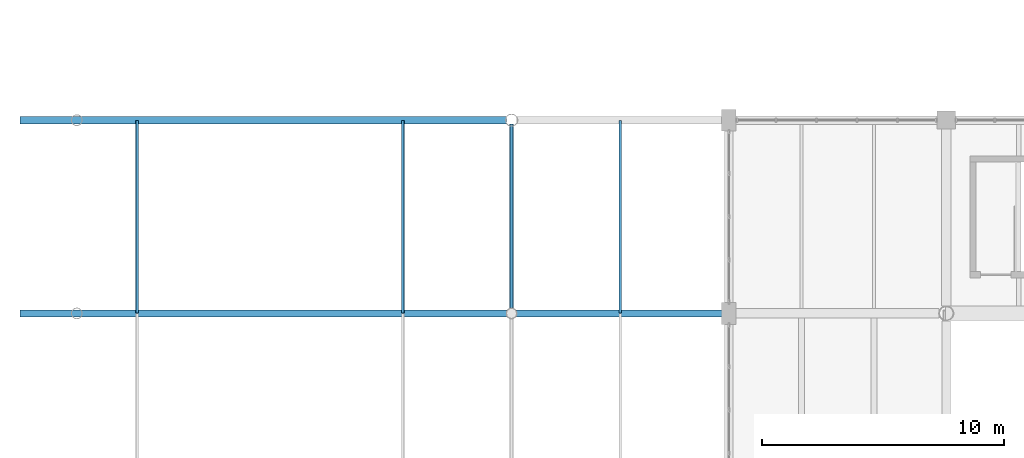
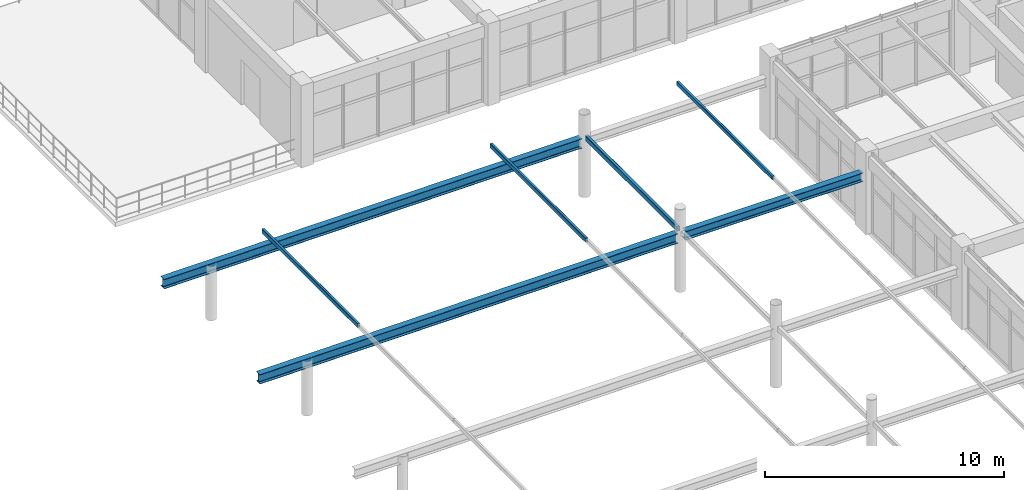
# One storey, part 55 of 148: 6 members, 1 beam.
"""IFC4 building model written with IfcOpenShell, lengths in metres."""

from ifc_helpers import new_model, si_unit, derived_unit, direction, frame, origin, origin_2d, place, context, subcontext, project, spatial, hollow_rectangle, i_section, extrude, material, material_profile, profile_set, type_object, element, save


model = new_model("IFC4")

# Units and contexts
model_context = context("Model", 3, precision=1e-05, world=origin(), true_north=direction((0.0, 1.0)))
body_context = subcontext(model_context, "Body", "Model", "MODEL_VIEW")
ifc_project = project(units=[si_unit("LENGTHUNIT", "METRE"), si_unit("AREAUNIT", "SQUARE_METRE"), si_unit("VOLUMEUNIT", "CUBIC_METRE"), si_unit("PLANEANGLEUNIT", "RADIAN"), si_unit("MASSUNIT", "GRAM", prefix="KILO"), derived_unit("THERMALTRANSMITTANCEUNIT", [(si_unit("MASSUNIT", "GRAM", prefix="KILO"), 1), (si_unit("TIMEUNIT", "SECOND"), -3), (si_unit("THERMODYNAMICTEMPERATUREUNIT", "KELVIN"), -1)])], contexts=[model_context])

# Site, building, storey
site_placement = place(None, origin())
site = spatial("IfcSite", under=ifc_project, at=site_placement, CompositionType="ELEMENT")
building_placement = place(site_placement, origin())
building = spatial("IfcBuilding", under=site, at=building_placement, Name="Zhenchuan Archway Interchange", CompositionType="ELEMENT")
storey_placement = place(building_placement, frame((0.0, 0.0, 10.199951171875)))
storey = spatial("IfcBuildingStorey", under=building, at=storey_placement, Name="L02", CompositionType="ELEMENT", Elevation=10.199951171875)

# Beam
ifc_material_1 = material(Name="Steel Q355", Category="steel")
ifc_material_profile_1 = material_profile(ifc_material_1, i_section(OverallWidth=0.300048828125, OverallDepth=0.43994140625, WebThickness=0.010986328125, FlangeThickness=0.01806640625, FilletRadius=0.02197265625, at=origin_2d()), Name="HM 440x300")
ifc_profile_set_1 = profile_set([ifc_material_profile_1], Name="Steel Q355")
beam_type = type_object("IfcBeamType", Name="BM_STL_HM440", PredefinedType="BEAM", material=ifc_profile_set_1)
beam_placement = place(storey_placement, frame((18.199951171875, 80.0, 2.75), z_axis=(1.0, 0.0, 0.0), x_axis=(0.0, 1.0, 0.0)))
element("IfcBeam", 1, at=beam_placement, inside=storey, type_object=beam_type, Name="ROOF TRUSS bus canopy T8 east bottom chord", PredefinedType="BEAM", context=body_context, shape_type="SweptSolid", body=[
    extrude(i_section(OverallWidth=0.300048828125, OverallDepth=0.43994140625, WebThickness=0.010986328125, FlangeThickness=0.01806640625, FilletRadius=0.02197265625, at=origin_2d()), origin(), (0.0, 0.0, 1.0), 8.550048828125),
])

# Members
ifc_material_2 = material(Name="Steel Q390", Category="steel")
ifc_material_profile_2 = material_profile(ifc_material_2, i_section(OverallWidth=0.300048828125, OverallDepth=0.488037109375, WebThickness=0.010986328125, FlangeThickness=0.01806640625, FilletRadius=0.02197265625, at=origin_2d()), Name="HM 488x300")
ifc_profile_set_2 = profile_set([ifc_material_profile_2], Name="Steel Q390")
member_type_1 = type_object("IfcMemberType", Name="MB_CHD_HM488", PredefinedType="CHORD", material=ifc_profile_set_2)
for number, where, z_axis, x_axis, name in (
    (2, (-2.35009765625, 80.0, 2.6201171875), (0.999979226799, 0.0, 0.006445616389), (0.0, 1.0, 0.0), "ROOF TRUSS bus canopy T8 west bottom chord"),
    (3, (-2.35009765625, 88.0, 2.6201171875), (0.999979226799, 0.0, 0.006445616389), (0.0, 1.0, 0.0), "ROOF TRUSS bus canopy T9 west bottom chord"),
):
    element("IfcMember", number, at=place(storey_placement, frame(where, z_axis=z_axis, x_axis=x_axis)), inside=storey, type_object=member_type_1, Name=name, PredefinedType="CHORD", context=body_context, shape_type="SweptSolid", body=[
        extrude(i_section(OverallWidth=0.300048828125, OverallDepth=0.488037109375, WebThickness=0.010986328125, FlangeThickness=0.01806640625, FilletRadius=0.02197265625, at=origin_2d()), origin(), (0.0, 0.0, 1.0), 20.150634765625),
    ])
ifc_material_profile_3 = material_profile(ifc_material_1, hollow_rectangle(XDim=0.1201171875, YDim=0.199951171875, WallThickness=0.008056640625, InnerFilletRadius=0.008056640625, OuterFilletRadius=0.01611328125, at=origin_2d()), Name="RHS 200x120x8")
ifc_profile_set_3 = profile_set([ifc_material_profile_3], Name="Steel Q355")
member_type_2 = type_object("IfcMemberType", Name="MB_RHS200", PredefinedType="PURLIN", material=ifc_profile_set_3)
member_1_placement = place(storey_placement, frame((22.5, 80.008056640625, 4.10009765625), z_axis=(0.0, 1.0, 0.0), x_axis=(-1.0, 0.0, 0.0)))
element("IfcMember", 4, at=member_1_placement, inside=storey, type_object=member_type_2, Name="Bus canopy roof purlin B8-P6", PredefinedType="PURLIN", context=body_context, shape_type="SweptSolid", body=[
    extrude(hollow_rectangle(XDim=0.1201171875, YDim=0.199951171875, WallThickness=0.008056640625, InnerFilletRadius=0.008056640625, OuterFilletRadius=0.01611328125, at=origin_2d()), origin(), (0.0, 0.0, 1.0), 7.98388671875),
])
ifc_material_profile_4 = material_profile(ifc_material_1, hollow_rectangle(XDim=0.1201171875, YDim=0.219970703125, WallThickness=0.008056640625, InnerFilletRadius=0.008056640625, OuterFilletRadius=0.01611328125, at=origin_2d()), Name="RHS 220x120x8")
ifc_profile_set_4 = profile_set([ifc_material_profile_4], Name="Steel Q355")
member_type_3 = type_object("IfcMemberType", Name="MB_RHS220", PredefinedType="PURLIN", material=ifc_profile_set_4)
for number, where, z_axis, x_axis, name in (
    (5, (2.5, 80.008056640625, 3.580078125), (0.0, 1.0, 0.0), (-1.0, 0.0, 0.0), "Bus canopy roof purlin B8-P1"),
    (6, (13.5, 80.008056640625, 4.080078125), (0.0, 1.0, 0.0), (-1.0, 0.0, 0.0), "Bus canopy roof purlin B8-P4"),
):
    element("IfcMember", number, at=place(storey_placement, frame(where, z_axis=z_axis, x_axis=x_axis)), inside=storey, type_object=member_type_3, Name=name, PredefinedType="PURLIN", context=body_context, shape_type="SweptSolid", body=[
        extrude(hollow_rectangle(XDim=0.1201171875, YDim=0.219970703125, WallThickness=0.008056640625, InnerFilletRadius=0.008056640625, OuterFilletRadius=0.01611328125, at=origin_2d()), origin(), (0.0, 0.0, 1.0), 7.98388671875),
    ])
ifc_material_profile_5 = material_profile(ifc_material_1, hollow_rectangle(XDim=0.14990234375, YDim=0.25, WallThickness=0.008056640625, InnerFilletRadius=0.008056640625, OuterFilletRadius=0.01611328125, at=origin_2d()), Name="RHS 250x150x8")
ifc_profile_set_5 = profile_set([ifc_material_profile_5], Name="Steel Q355")
member_type_4 = type_object("IfcMemberType", Name="MB_RHS250", PredefinedType="PURLIN", material=ifc_profile_set_5)
member_2_placement = place(storey_placement, frame((18.0, 80.159912109375, 3.0), z_axis=(0.0, 1.0, 0.0), x_axis=(-1.0, 0.0, 0.0)))
element("IfcMember", 7, at=member_2_placement, inside=storey, type_object=member_type_4, Name="Bus canopy roof purlin B8-P5", PredefinedType="PURLIN", context=body_context, shape_type="SweptSolid", body=[
    extrude(hollow_rectangle(XDim=0.14990234375, YDim=0.25, WallThickness=0.008056640625, InnerFilletRadius=0.008056640625, OuterFilletRadius=0.01611328125, at=origin_2d()), origin(), (0.0, 0.0, 1.0), 7.68017578125),
])

save(model, "model.ifc")
